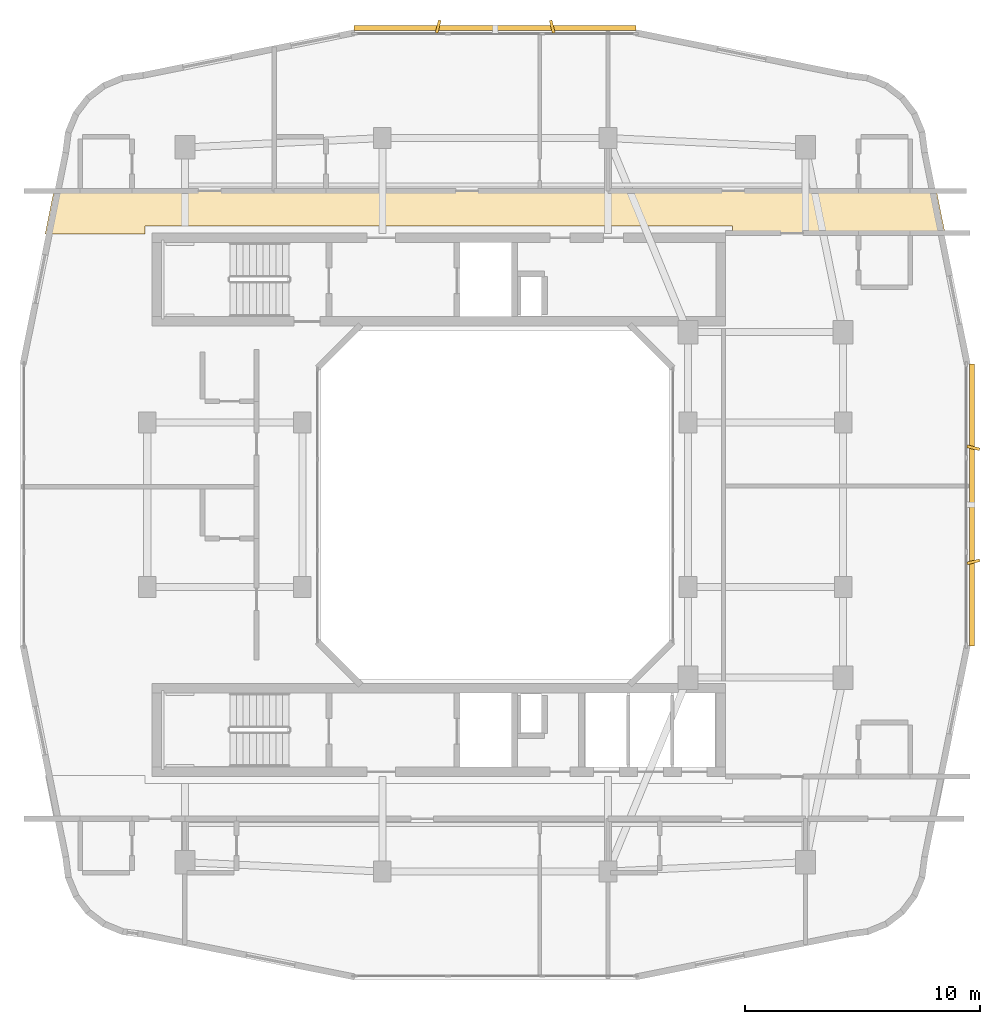
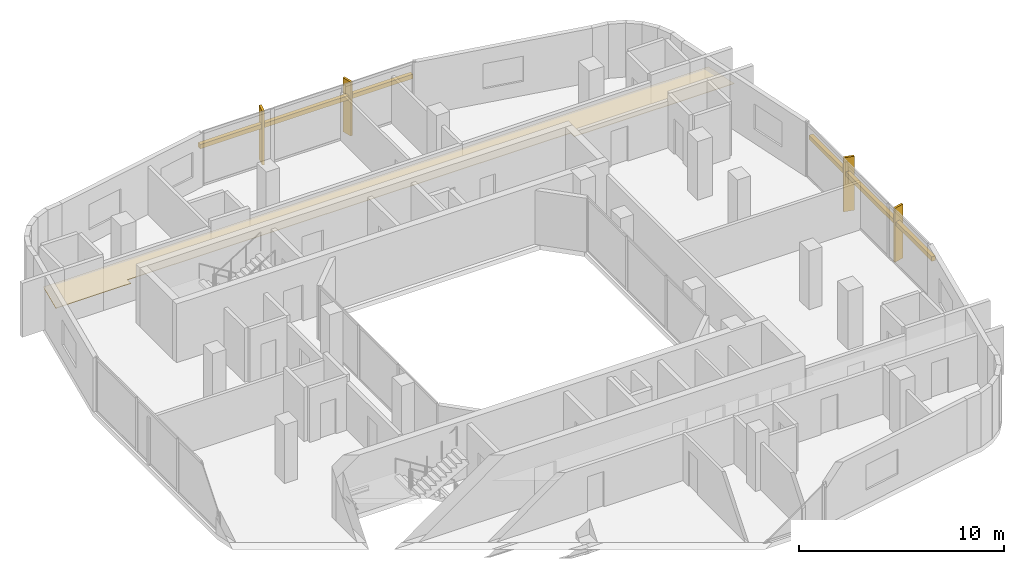
# One storey, part 14 of 14: 6 shading devices, 1 covering.
"""IFC4 building model written with IfcOpenShell, lengths in metres."""

from ifc_helpers import new_model, si_unit, derived_unit, direction, frame, origin, origin_2d, place, context, subcontext, project, spatial, polyline, rectangle, outline, extrude, material, layer, layer_set, type_object, element, save


model = new_model("IFC4")

# Units and contexts
model_context = context("Model", 3, precision=1e-05, world=origin(), true_north=direction((0.0, 1.0)))
body_context = subcontext(model_context, "Body", "Model", "MODEL_VIEW")
ifc_project = project(units=[si_unit("LENGTHUNIT", "METRE"), si_unit("AREAUNIT", "SQUARE_METRE"), si_unit("VOLUMEUNIT", "CUBIC_METRE"), si_unit("PLANEANGLEUNIT", "RADIAN"), si_unit("MASSUNIT", "GRAM", prefix="KILO"), derived_unit("THERMALTRANSMITTANCEUNIT", [(si_unit("POWERUNIT", "WATT"), 1), (si_unit("LENGTHUNIT", "METRE"), -2), (si_unit("THERMODYNAMICTEMPERATUREUNIT", "KELVIN"), -1)])], contexts=[model_context])

# Site, building, storey
site_placement = place(None, origin())
site = spatial("IfcSite", under=ifc_project, at=site_placement, CompositionType="ELEMENT")
building_placement = place(site_placement, origin())
building = spatial("IfcBuilding", under=site, at=building_placement, Name="Kivonza Crest Hotel", CompositionType="ELEMENT")
storey_placement = place(building_placement, frame((0.0, 0.0, 141.5)))
storey = spatial("IfcBuildingStorey", under=building, at=storey_placement, Name="L38", CompositionType="ELEMENT", Elevation=141.5)

# Covering
ifc_material_1 = material(Name="Moisture-resistant gypsum plasterboard ceiling", Category="gypsum")
ifc_layer = layer(ifc_material_1, 0.030029296875)
ifc_layer_set = layer_set([ifc_layer], Name="Moisture-resistant gypsum plasterboard ceiling")
covering_type = type_object("IfcCoveringType", Name="CV-CEIL-GYP", PredefinedType="CEILING", material=ifc_layer_set)
covering_placement = place(storey_placement, frame((0.0, 0.0, 2.449951171875)))
element("IfcCovering", 1, at=covering_placement, inside=storey, type_object=covering_type, Name="L38 Hotel North Guest Corridor suspended ceiling", PredefinedType="CEILING", context=body_context, shape_type="SweptSolid", body=[
    extrude(outline(polyline([(2.235107421875, 38.389892578125), (1.85791015625, 36.52001953125), (6.10009765625, 36.52001953125), (6.10009765625, 36.860107421875), (31.10009765625, 36.860107421875), (31.10009765625, 36.52001953125), (40.14208984375, 36.52001953125), (39.764892578125, 38.389892578125), (2.235107421875, 38.389892578125)])), origin(), (0.0, 0.0, 1.0), 0.030029296875),
])

# Shading devices
ifc_material_2 = material(Name="Kiln-fired Nairobi red-ochre terracotta", Category="masonry")
shading_device_type_1 = type_object("IfcShadingDeviceType", Name="SH-BAGUETTE-300", PredefinedType="USERDEFINED", material=ifc_material_2)
for number, where, z_axis, x_axis, name in (
    (2, (41.280029296875, 25.0, 2.1240234375), (0.0, 0.0, 1.0), (0.0, 1.0, 0.0), "L38 terracotta baguette screen CW-T1-L38-17"),
    (3, (21.0, 45.280029296875, 2.1240234375), (0.0, 0.0, 1.0), (-1.0, 0.0, 0.0), "L38 terracotta baguette screen CW-T1-L38-26"),
):
    element("IfcShadingDevice", number, at=place(storey_placement, frame(where, z_axis=z_axis, x_axis=x_axis)), inside=storey, type_object=shading_device_type_1, Name=name, ObjectType="BAGUETTE", PredefinedType="USERDEFINED", context=body_context, shape_type="SweptSolid", body=[
        extrude(rectangle(XDim=12.0, YDim=0.219970703125, at=origin_2d()), origin(), (0.0, 0.0, 1.0), 0.260009765625),
    ])
ifc_material_3 = material(Name="Kiln-fired terracotta over extruded aluminium spine", Category="masonry")
shading_device_type_2 = type_object("IfcShadingDeviceType", Name="SH-FIN-550", PredefinedType="USERDEFINED", material=ifc_material_3)
for number, where, z_axis, x_axis, name in (
    (4, (41.340087890625, 22.575927734375, 0.0), (0.0, 0.0, 1.0), (-0.2419218956, 0.970295726276, 0.0), "L38 vertical solar shading fin CW-T1-L38-17-1"),
    (5, (41.340087890625, 27.424072265625, 0.0), (0.0, 0.0, 1.0), (0.2419218956, 0.970295726276, 0.0), "L38 vertical solar shading fin CW-T1-L38-17-2"),
    (6, (23.424072265625, 45.340087890625, 0.0), (0.0, 0.0, 1.0), (-0.970295726276, -0.2419218956, 0.0), "L38 vertical solar shading fin CW-T1-L38-26-1"),
    (7, (18.575927734375, 45.340087890625, 0.0), (0.0, 0.0, 1.0), (-0.970295726276, 0.2419218956, 0.0), "L38 vertical solar shading fin CW-T1-L38-26-2"),
):
    element("IfcShadingDevice", number, at=place(storey_placement, frame(where, z_axis=z_axis, x_axis=x_axis)), inside=storey, type_object=shading_device_type_2, Name=name, ObjectType="FIN", PredefinedType="USERDEFINED", context=body_context, shape_type="SweptSolid", body=[
        extrude(rectangle(XDim=0.1201171875, YDim=0.550048828125, at=origin_2d()), origin(), (0.0, 0.0, 1.0), 3.219970703125),
    ])

save(model, "model.ifc")
